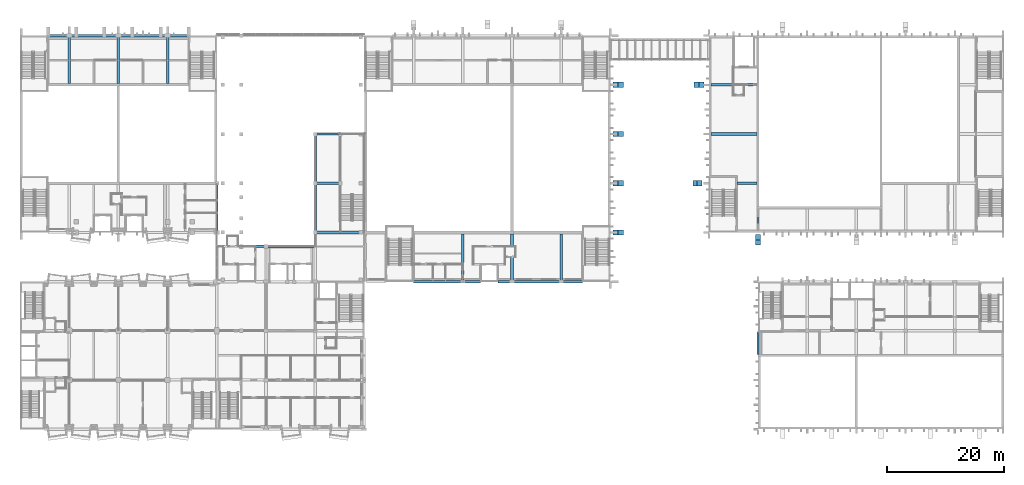
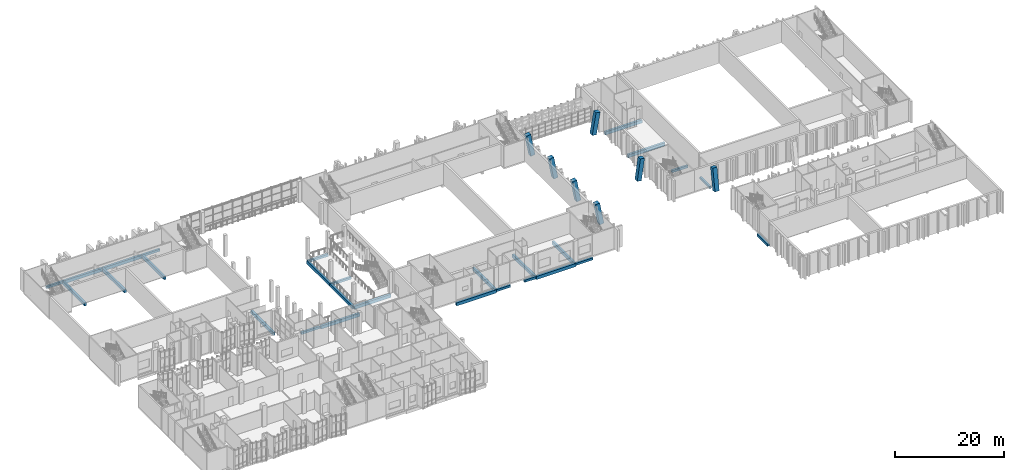
# One storey, part 8 of 91: 28 beams, 7 members.
"""IFC4 building model written with IfcOpenShell, lengths in metres."""

from ifc_helpers import new_model, si_unit, direction, frame, origin, origin_2d, place, context, subcontext, project, spatial, rectangle, extrude, material, material_profile, profile_set, type_object, element, save


model = new_model("IFC4")

# Units and contexts
model_context = context("Model", 3, precision=1e-05, world=origin(), true_north=direction((0.0, 1.0)))
body_context = subcontext(model_context, "Body", "Model", "MODEL_VIEW")
ifc_project = project(units=[si_unit("LENGTHUNIT", "METRE"), si_unit("AREAUNIT", "SQUARE_METRE"), si_unit("VOLUMEUNIT", "CUBIC_METRE"), si_unit("PLANEANGLEUNIT", "RADIAN"), si_unit("MASSUNIT", "GRAM", prefix="KILO")], contexts=[model_context])

# Site, building, storey
site_placement = place(None, origin())
site = spatial("IfcSite", under=ifc_project, at=site_placement, CompositionType="ELEMENT")
building_placement = place(site_placement, origin())
building = spatial("IfcBuilding", under=site, at=building_placement, Name="Kiln Court Media Centre", CompositionType="ELEMENT")
storey_placement = place(building_placement, frame((0.0, 0.0, 5.39990234375)))
storey = spatial("IfcBuildingStorey", under=building, at=storey_placement, Name="L01", CompositionType="ELEMENT", Elevation=5.39990234375)

# Beams
ifc_material_1 = material(Name="Concrete C30/37", Category="concrete")
ifc_material_profile_1 = material_profile(ifc_material_1, rectangle(XDim=0.39990234375, YDim=0.5, at=origin_2d()), Name="RC 400x500")
ifc_profile_set_1 = profile_set([ifc_material_profile_1], Name="Concrete C30/37")
beam_type_1 = type_object("IfcBeamType", Name="Concrete C30/37 beam 400x500", PredefinedType="BEAM", material=ifc_profile_set_1)
beam_1_placement = place(storey_placement, frame((4.800048828125, 67.199951171875, -0.5498046875), z_axis=(1.0, 0.0, 0.0), x_axis=(0.0, 1.0, 0.0)))
element("IfcBeam", 1, at=beam_1_placement, inside=storey, type_object=beam_type_1, Name="L01-B-1069", PredefinedType="BEAM", context=body_context, shape_type="SweptSolid", body=[
    extrude(rectangle(XDim=0.39990234375, YDim=0.5, at=origin_2d()), origin(), (0.0, 0.0, 1.0), 3.599853515625),
])
beam_2_placement = place(storey_placement, frame((25.199951171875, 67.199951171875, -0.5498046875), z_axis=(1.0, 0.0, 0.0), x_axis=(0.0, 1.0, 0.0)))
element("IfcBeam", 2, at=beam_2_placement, inside=storey, type_object=beam_type_1, Name="L01-B-1072", PredefinedType="BEAM", context=body_context, shape_type="SweptSolid", body=[
    extrude(rectangle(XDim=0.39990234375, YDim=0.5, at=origin_2d()), origin(), (0.0, 0.0, 1.0), 3.60009765625),
])
for number, where, z_axis, x_axis, name in (
    (3, (50.39990234375, 42.0, -0.5498046875), (1.0, 0.0, 0.0), (0.0, 1.0, 0.0), "L01-B-1079"),
    (4, (50.39990234375, 50.39990234375, -0.5498046875), (1.0, 0.0, 0.0), (0.0, 1.0, 0.0), "L01-B-1080"),
):
    element("IfcBeam", number, at=place(storey_placement, frame(where, z_axis=z_axis, x_axis=x_axis)), inside=storey, type_object=beam_type_1, Name=name, PredefinedType="BEAM", context=body_context, shape_type="SweptSolid", body=[
        extrude(rectangle(XDim=0.39990234375, YDim=0.5, at=origin_2d()), origin(), (0.0, 0.0, 1.0), 4.2509765625),
    ])
beam_3_placement = place(storey_placement, frame((37.919921875, 31.199951171875, -0.5498046875), z_axis=(1.0, 0.0, 0.0), x_axis=(0.0, 1.0, 0.0)))
element("IfcBeam", 5, at=beam_3_placement, inside=storey, type_object=beam_type_1, Name="L01-B-1082", PredefinedType="BEAM", context=body_context, shape_type="SweptSolid", body=[
    extrude(rectangle(XDim=0.39990234375, YDim=0.5, at=origin_2d()), origin(), (0.0, 0.0, 1.0), 3.880126953125),
])
beam_4_placement = place(storey_placement, frame((75.60009765625, 25.199951171875, -0.5498046875), z_axis=(1.0, 0.0, 0.0), x_axis=(0.0, 1.0, 0.0)))
element("IfcBeam", 6, at=beam_4_placement, inside=storey, type_object=beam_type_1, Name="L01-B-1093", PredefinedType="BEAM", context=body_context, shape_type="SweptSolid", body=[
    extrude(rectangle(XDim=0.39990234375, YDim=0.5, at=origin_2d()), origin(), (0.0, 0.0, 1.0), 3.0),
])
beam_5_placement = place(storey_placement, frame((81.60009765625, 25.199951171875, -0.5498046875), z_axis=(1.0, 0.0, 0.0), x_axis=(0.0, 1.0, 0.0)))
element("IfcBeam", 7, at=beam_5_placement, inside=storey, type_object=beam_type_1, Name="L01-B-1094", PredefinedType="BEAM", context=body_context, shape_type="SweptSolid", body=[
    extrude(rectangle(XDim=0.39990234375, YDim=0.5, at=origin_2d()), origin(), (0.0, 0.0, 1.0), 2.39990234375),
])
for number, where, z_axis, x_axis, name in (
    (8, (92.39990234375, 25.199951171875, -0.5498046875), (1.0, 0.0, 0.0), (0.0, 1.0, 0.0), "L01-B-1096"),
    (9, (126.0, 34.0, -0.5498046875), (0.0, 1.0, 0.0), (-1.0, 0.0, 0.0), "L01-B-1102"),
):
    element("IfcBeam", number, at=place(storey_placement, frame(where, z_axis=z_axis, x_axis=x_axis)), inside=storey, type_object=beam_type_1, Name=name, PredefinedType="BEAM", context=body_context, shape_type="SweptSolid", body=[
        extrude(rectangle(XDim=0.39990234375, YDim=0.5, at=origin_2d()), origin(), (0.0, 0.0, 1.0), 3.60009765625),
    ])
beam_6_placement = place(storey_placement, frame((122.39990234375, 42.0, -0.5498046875), z_axis=(1.0, 0.0, 0.0), x_axis=(0.0, 1.0, 0.0)))
element("IfcBeam", 10, at=beam_6_placement, inside=storey, type_object=beam_type_1, Name="L01-B-1107", PredefinedType="BEAM", context=body_context, shape_type="SweptSolid", body=[
    extrude(rectangle(XDim=0.39990234375, YDim=0.5, at=origin_2d()), origin(), (0.0, 0.0, 1.0), 3.400146484375),
])
beam_7_placement = place(storey_placement, frame((126.0, 12.800048828125, -0.5498046875), z_axis=(0.0, 1.0, 0.0), x_axis=(-1.0, 0.0, 0.0)))
element("IfcBeam", 11, at=beam_7_placement, inside=storey, type_object=beam_type_1, Name="L01-B-1113", PredefinedType="BEAM", context=body_context, shape_type="SweptSolid", body=[
    extrude(rectangle(XDim=0.39990234375, YDim=0.5, at=origin_2d()), origin(), (0.0, 0.0, 1.0), 3.800048828125),
])
ifc_material_2 = material(Name="Concrete C30/37", Category="concrete")
ifc_material_profile_2 = material_profile(ifc_material_2, rectangle(XDim=0.449951171875, YDim=0.699951171875, at=origin_2d()), Name="RC 450x700")
ifc_profile_set_2 = profile_set([ifc_material_profile_2], Name="Concrete C30/37")
beam_type_2 = type_object("IfcBeamType", Name="Concrete C30/37 beam 450x700", PredefinedType="BEAM", material=ifc_profile_set_2)
for number, where, z_axis, x_axis, name in (
    (12, (8.39990234375, 59.0, -0.64990234375), (0.0, 1.0, 0.0), (-1.0, 0.0, 0.0), "L01-B-1054"),
    (13, (16.800048828125, 59.0, -0.64990234375), (0.0, 1.0, 0.0), (-1.0, 0.0, 0.0), "L01-B-1056"),
    (14, (25.199951171875, 59.0, -0.64990234375), (0.0, 1.0, 0.0), (-1.0, 0.0, 0.0), "L01-B-1059"),
    (15, (33.60009765625, 33.60009765625, -0.64990234375), (0.0, 1.0, 0.0), (-1.0, 0.0, 0.0), "L01-B-1060"),
):
    element("IfcBeam", number, at=place(storey_placement, frame(where, z_axis=z_axis, x_axis=x_axis)), inside=storey, type_object=beam_type_2, Name=name, PredefinedType="BEAM", context=body_context, shape_type="SweptSolid", body=[
        extrude(rectangle(XDim=0.449951171875, YDim=0.699951171875, at=origin_2d()), origin(), (0.0, 0.0, 1.0), 8.199951171875),
    ])
beam_8_placement = place(storey_placement, frame((8.39990234375, 67.199951171875, -0.64990234375), z_axis=(1.0, 0.0, 0.0), x_axis=(0.0, 1.0, 0.0)))
element("IfcBeam", 16, at=beam_8_placement, inside=storey, type_object=beam_type_2, Name="L01-B-1070", PredefinedType="BEAM", context=body_context, shape_type="SweptSolid", body=[
    extrude(rectangle(XDim=0.449951171875, YDim=0.699951171875, at=origin_2d()), origin(), (0.0, 0.0, 1.0), 8.400146484375),
])
for number, where, z_axis, x_axis, name in (
    (17, (16.800048828125, 67.199951171875, -0.64990234375), (1.0, 0.0, 0.0), (0.0, 1.0, 0.0), "L01-B-1071"),
    (18, (50.39990234375, 33.60009765625, -0.64990234375), (0.0, 1.0, 0.0), (-1.0, 0.0, 0.0), "L01-B-1076"),
    (19, (50.39990234375, 42.0, -0.64990234375), (0.0, 1.0, 0.0), (-1.0, 0.0, 0.0), "L01-B-1077"),
):
    element("IfcBeam", number, at=place(storey_placement, frame(where, z_axis=z_axis, x_axis=x_axis)), inside=storey, type_object=beam_type_2, Name=name, PredefinedType="BEAM", context=body_context, shape_type="SweptSolid", body=[
        extrude(rectangle(XDim=0.449951171875, YDim=0.699951171875, at=origin_2d()), origin(), (0.0, 0.0, 1.0), 8.39990234375),
    ])
beam_9_placement = place(storey_placement, frame((50.39990234375, 33.60009765625, -0.64990234375), z_axis=(1.0, 0.0, 0.0), x_axis=(0.0, 1.0, 0.0)))
element("IfcBeam", 20, at=beam_9_placement, inside=storey, type_object=beam_type_2, Name="L01-B-1078", PredefinedType="BEAM", context=body_context, shape_type="SweptSolid", body=[
    extrude(rectangle(XDim=0.449951171875, YDim=0.699951171875, at=origin_2d()), origin(), (0.0, 0.0, 1.0), 7.75),
])
for number, where, z_axis, x_axis, name in (
    (21, (42.0, 31.199951171875, -0.64990234375), (1.0, 0.0, 0.0), (0.0, 1.0, 0.0), "L01-B-1083"),
    (22, (75.60009765625, 25.199951171875, -0.64990234375), (0.0, 1.0, 0.0), (-1.0, 0.0, 0.0), "L01-B-1085"),
    (23, (84.0, 25.199951171875, -0.64990234375), (0.0, 1.0, 0.0), (-1.0, 0.0, 0.0), "L01-B-1087"),
    (24, (92.39990234375, 25.199951171875, -0.64990234375), (0.0, 1.0, 0.0), (-1.0, 0.0, 0.0), "L01-B-1089"),
):
    element("IfcBeam", number, at=place(storey_placement, frame(where, z_axis=z_axis, x_axis=x_axis)), inside=storey, type_object=beam_type_2, Name=name, PredefinedType="BEAM", context=body_context, shape_type="SweptSolid", body=[
        extrude(rectangle(XDim=0.449951171875, YDim=0.699951171875, at=origin_2d()), origin(), (0.0, 0.0, 1.0), 8.175048828125),
    ])
beam_10_placement = place(storey_placement, frame((67.199951171875, 25.199951171875, -0.64990234375), z_axis=(1.0, 0.0, 0.0), x_axis=(0.0, 1.0, 0.0)))
element("IfcBeam", 25, at=beam_10_placement, inside=storey, type_object=beam_type_2, Name="L01-B-1092", PredefinedType="BEAM", context=body_context, shape_type="SweptSolid", body=[
    extrude(rectangle(XDim=0.449951171875, YDim=0.699951171875, at=origin_2d()), origin(), (0.0, 0.0, 1.0), 8.400146484375),
])
beam_11_placement = place(storey_placement, frame((84.0, 25.199951171875, -0.64990234375), z_axis=(1.0, 0.0, 0.0), x_axis=(0.0, 1.0, 0.0)))
element("IfcBeam", 26, at=beam_11_placement, inside=storey, type_object=beam_type_2, Name="L01-B-1095", PredefinedType="BEAM", context=body_context, shape_type="SweptSolid", body=[
    extrude(rectangle(XDim=0.449951171875, YDim=0.699951171875, at=origin_2d()), origin(), (0.0, 0.0, 1.0), 8.39990234375),
])
for number, where, z_axis, x_axis, name in (
    (27, (118.0, 50.39990234375, -0.64990234375), (1.0, 0.0, 0.0), (0.0, 1.0, 0.0), "L01-B-1109"),
    (28, (118.0, 58.800048828125, -0.64990234375), (1.0, 0.0, 0.0), (0.0, 1.0, 0.0), "L01-B-1111"),
):
    element("IfcBeam", number, at=place(storey_placement, frame(where, z_axis=z_axis, x_axis=x_axis)), inside=storey, type_object=beam_type_2, Name=name, PredefinedType="BEAM", context=body_context, shape_type="SweptSolid", body=[
        extrude(rectangle(XDim=0.449951171875, YDim=0.699951171875, at=origin_2d()), origin(), (0.0, 0.0, 1.0), 7.800048828125),
    ])

# Members
ifc_material_3 = material(Name="Concrete C40/50", Category="concrete")
ifc_material_profile_3 = material_profile(ifc_material_3, rectangle(XDim=0.89990234375, YDim=0.89990234375, at=origin_2d()), Name="RC 900x900")
ifc_profile_set_3 = profile_set([ifc_material_profile_3], Name="Concrete C40/50")
member_type = type_object("IfcMemberType", Name="Concrete C40/50 raked column 900x900", PredefinedType="STRUT", material=ifc_profile_set_3)
for number, where, z_axis, x_axis, name in (
    (29, (102.592041015625, 33.60009765625, 0.0), (-0.183494536302, 0.0, 0.983020729765), (0.0, -1.0, 0.0), "L01-M-1000"),
    (30, (102.592041015625, 42.0, 0.0), (-0.183494536302, 0.0, 0.983020729765), (0.0, -1.0, 0.0), "L01-M-1001"),
    (31, (102.592041015625, 50.39990234375, 0.0), (-0.183494536302, 0.0, 0.983020729765), (0.0, -1.0, 0.0), "L01-M-1002"),
    (32, (102.592041015625, 58.800048828125, 0.0), (-0.183494536302, 0.0, 0.983020729765), (0.0, -1.0, 0.0), "L01-M-1003"),
):
    element("IfcMember", number, at=place(storey_placement, frame(where, z_axis=z_axis, x_axis=x_axis)), inside=storey, type_object=member_type, Name=name, PredefinedType="STRUT", context=body_context, shape_type="SweptSolid", body=[
        extrude(rectangle(XDim=0.89990234375, YDim=0.89990234375, at=origin_2d()), origin(), (0.0, 0.0, 1.0), 4.883056640625),
    ])
member_1_placement = place(storey_placement, frame((126.0, 31.93603515625, 0.0), z_axis=(0.0, 0.170791264486, 0.985307233291), x_axis=(-1.0, 0.0, 0.0)))
element("IfcMember", 33, at=member_1_placement, inside=storey, type_object=member_type, Name="L01-M-1007", PredefinedType="STRUT", context=body_context, shape_type="SweptSolid", body=[
    extrude(rectangle(XDim=0.89990234375, YDim=0.89990234375, at=origin_2d()), origin(), (0.0, 0.0, 1.0), 4.87158203125),
])
member_2_placement = place(storey_placement, frame((115.354248046875, 42.0, 0.0), z_axis=(0.138324729522, 0.0, 0.990386929035), x_axis=(0.0, 1.0, 0.0)))
element("IfcMember", 34, at=member_2_placement, inside=storey, type_object=member_type, Name="L01-M-1012", PredefinedType="STRUT", context=body_context, shape_type="SweptSolid", body=[
    extrude(rectangle(XDim=0.89990234375, YDim=0.89990234375, at=origin_2d()), origin(), (0.0, 0.0, 1.0), 4.8466796875),
])
member_3_placement = place(storey_placement, frame((115.53271484375, 58.800048828125, 0.0), z_axis=(0.170207338916, 0.0, 0.985408271621), x_axis=(0.0, 1.0, 0.0)))
element("IfcMember", 35, at=member_3_placement, inside=storey, type_object=member_type, Name="L01-M-1013", PredefinedType="STRUT", context=body_context, shape_type="SweptSolid", body=[
    extrude(rectangle(XDim=0.89990234375, YDim=0.89990234375, at=origin_2d()), origin(), (0.0, 0.0, 1.0), 4.87109375),
])

save(model, "model.ifc")
